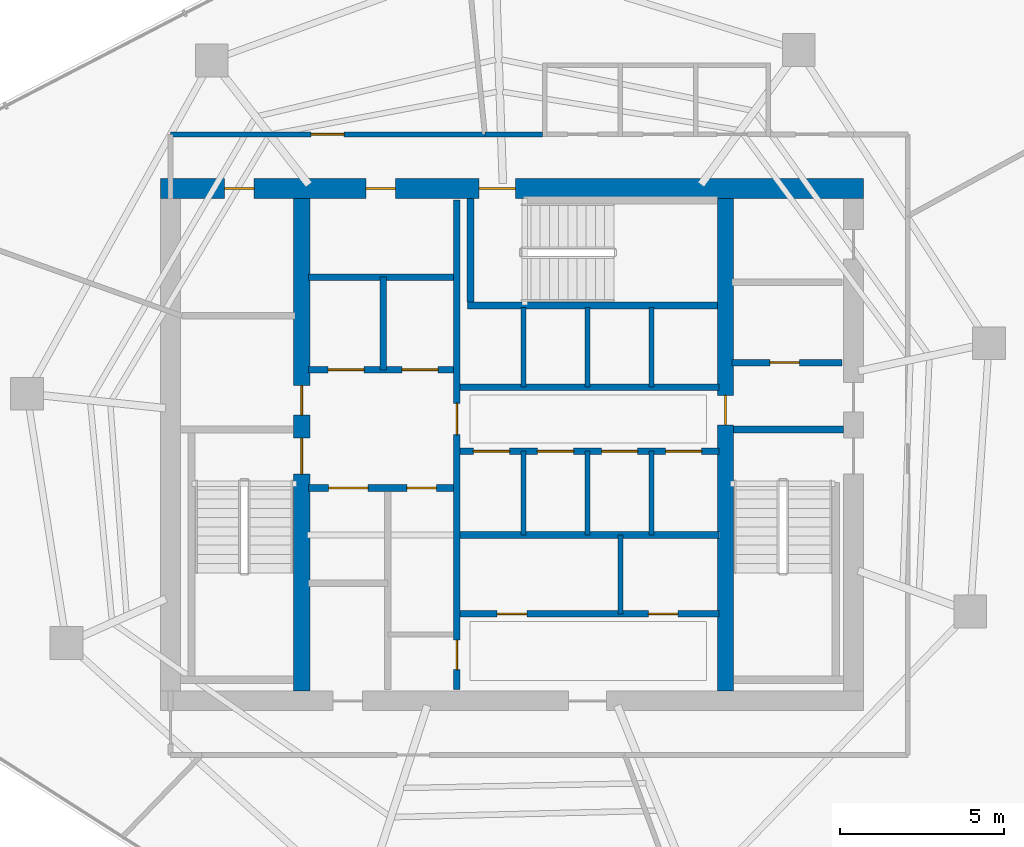
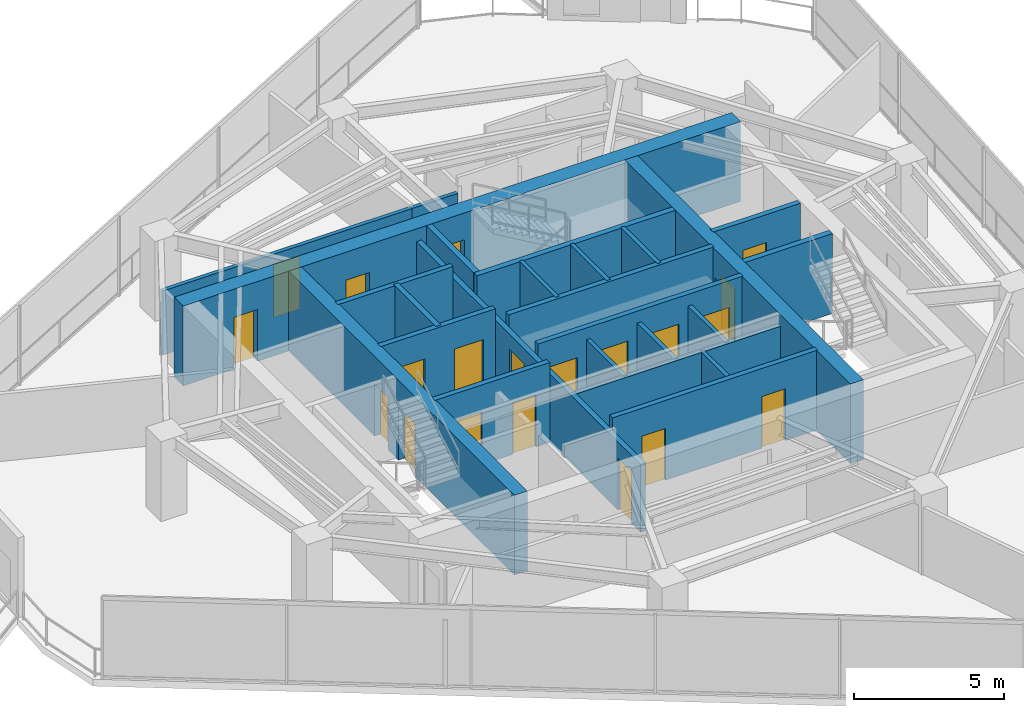
# One storey, part 16 of 20: 25 walls, 20 doors, 20 openings.
"""IFC4 building model written with IfcOpenShell, lengths in metres."""

from ifc_helpers import new_model, si_unit, direction, frame, frame_2d, origin, place, context, subcontext, project, spatial, rectangle, extrude, material, layer, layer_set, type_object, element, fill, save


model = new_model("IFC4")

# Units and contexts
model_context = context("Model", 3, precision=1e-05, world=origin(), true_north=direction((0.0, 1.0)))
body_context = subcontext(model_context, "Body", "Model", "MODEL_VIEW")
ifc_project = project(units=[si_unit("LENGTHUNIT", "METRE"), si_unit("AREAUNIT", "SQUARE_METRE"), si_unit("VOLUMEUNIT", "CUBIC_METRE"), si_unit("PLANEANGLEUNIT", "RADIAN"), si_unit("MASSUNIT", "GRAM", prefix="KILO")], contexts=[model_context])

# Site, building, storey
site_placement = place(None, origin())
site = spatial("IfcSite", under=ifc_project, at=site_placement, CompositionType="ELEMENT")
building_placement = place(site_placement, origin())
building = spatial("IfcBuilding", under=site, at=building_placement, Name="Qarnah Convention Tower", CompositionType="ELEMENT")
storey_placement = place(building_placement, frame((0.0, 0.0, 168.89990234375)))
storey = spatial("IfcBuildingStorey", under=building, at=storey_placement, Name="L45", CompositionType="ELEMENT", Elevation=168.89990234375)

# Wall, openings, doors
ifc_material_1 = material(Name="Concrete C60/75", Category="concrete")
ifc_layer_1 = layer(ifc_material_1, 0.60009765625)
ifc_layer_set_1 = layer_set([ifc_layer_1], Name="Concrete C60/75")
wall_type_1 = type_object("IfcWallType", Name="WL-CORE-600", PredefinedType="SHEAR", material=ifc_layer_set_1)
wall_1_placement = place(storey_placement, frame((26.5, 34.199951171875, 0.0), z_axis=(0.0, 0.0, 1.0), x_axis=(1.0, 0.0, 0.0)))
wall_1 = element("IfcWall", 1, at=wall_1_placement, inside=storey, type_object=wall_type_1, Name="L45 core north shear wall", PredefinedType="SHEAR", context=body_context, shape_type="SweptSolid", body=[
    extrude(rectangle(XDim=21.39990234375, YDim=0.60009765625, at=frame_2d((10.699951171875, 0.0))), origin(), (0.0, 0.0, 1.0), 3.239990234375),
])
opening_1_placement = place(wall_1_placement, frame((9.699951171875, 0.0, 0.0)))
opening_1 = element("IfcOpeningElement", 2, at=opening_1_placement, cuts=wall_1, Name="Opening D-4503", PredefinedType="OPENING", context=body_context, shape_type="SweptSolid", body=[
    extrude(rectangle(XDim=1.10009765625, YDim=2.14990234375, at=frame_2d((0.550048828125, 1.074951171875))), frame((0.0, 0.31005859375, 0.0), z_axis=(0.0, -1.0, 0.0), x_axis=(1.0, 0.0, 0.0)), (0.0, 0.0, 1.0), 0.6201171875),
])
opening_2_placement = place(wall_1_placement, frame((1.949951171875, 0.0, 0.0)))
opening_2 = element("IfcOpeningElement", 3, at=opening_2_placement, cuts=wall_1, Name="Opening D-4509", PredefinedType="OPENING", context=body_context, shape_type="SweptSolid", body=[
    extrude(rectangle(XDim=0.89990234375, YDim=2.10009765625, at=frame_2d((0.449951171875, 1.050048828125))), frame((0.0, 0.31005859375, 0.0), z_axis=(0.0, -1.0, 0.0), x_axis=(1.0, 0.0, 0.0)), (0.0, 0.0, 1.0), 0.6201171875),
])
opening_3_placement = place(wall_1_placement, frame((6.25, 0.0, 0.0)))
opening_3 = element("IfcOpeningElement", 4, at=opening_3_placement, cuts=wall_1, Name="Opening D-4510", PredefinedType="OPENING", context=body_context, shape_type="SweptSolid", body=[
    extrude(rectangle(XDim=0.89990234375, YDim=2.10009765625, at=frame_2d((0.449951171875, 1.050048828125))), frame((0.0, 0.31005859375, 0.0), z_axis=(0.0, -1.0, 0.0), x_axis=(1.0, 0.0, 0.0)), (0.0, 0.0, 1.0), 0.6201171875),
])
ifc_material_2 = material(Name="Structural steel S355JR", Category="steel")
door_type_1 = type_object("IfcDoorType", Name="DT-RISER-900", OperationType="NOTDEFINED", PredefinedType="DOOR", material=ifc_material_2)
door_1_placement = place(opening_2_placement, origin())
door_1 = element("IfcDoor", 5, at=door_1_placement, inside=storey, type_object=door_type_1, Name="Door D-4509", OperationType="SINGLE_SWING_RIGHT", OverallHeight=2.10009765625, OverallWidth=0.89990234375, PredefinedType="DOOR", context=body_context, shape_type="SweptSolid", body=[
    extrude(rectangle(XDim=0.89990234375, YDim=2.10009765625, at=frame_2d((0.449951171875, 1.050048828125))), frame((0.0, 0.02490234375, 0.0), z_axis=(0.0, -1.0, 0.0), x_axis=(1.0, 0.0, 0.0)), (0.0, 0.0, 1.0), 0.050048828125),
])
fill(opening_2, door_1)
door_2_placement = place(opening_3_placement, origin())
door_2 = element("IfcDoor", 6, at=door_2_placement, inside=storey, type_object=door_type_1, Name="Door D-4510", OperationType="SINGLE_SWING_LEFT", OverallHeight=2.10009765625, OverallWidth=0.89990234375, PredefinedType="DOOR", context=body_context, shape_type="SweptSolid", body=[
    extrude(rectangle(XDim=0.89990234375, YDim=2.10009765625, at=frame_2d((0.449951171875, 1.050048828125))), frame((0.0, 0.02490234375, 0.0), z_axis=(0.0, -1.0, 0.0), x_axis=(1.0, 0.0, 0.0)), (0.0, 0.0, 1.0), 0.050048828125),
])
fill(opening_3, door_2)
door_type_2 = type_object("IfcDoorType", Name="DT-STAIR-1100", OperationType="NOTDEFINED", PredefinedType="DOOR", material=ifc_material_2)
door_3_placement = place(opening_1_placement, origin())
door_3 = element("IfcDoor", 7, at=door_3_placement, inside=storey, type_object=door_type_2, Name="Door D-4503", OperationType="SINGLE_SWING_RIGHT", OverallHeight=2.14990234375, OverallWidth=1.10009765625, PredefinedType="DOOR", context=body_context, shape_type="SweptSolid", body=[
    extrude(rectangle(XDim=1.10009765625, YDim=2.14990234375, at=frame_2d((0.550048828125, 1.074951171875))), frame((0.0, 0.02490234375, 0.0), z_axis=(0.0, -1.0, 0.0), x_axis=(1.0, 0.0, 0.0)), (0.0, 0.0, 1.0), 0.050048828125),
])
fill(opening_1, door_3)

ifc_layer_2 = layer(ifc_material_1, 0.5)
ifc_layer_set_2 = layer_set([ifc_layer_2], Name="Concrete C60/75")
wall_type_2 = type_object("IfcWallType", Name="WL-CORE-INT-400", PredefinedType="SHEAR", material=ifc_layer_set_2)
wall_2_placement = place(storey_placement, frame((30.800048828125, 18.89990234375, 0.0), z_axis=(0.0, 0.0, 1.0), x_axis=(0.0, 1.0, 0.0)))
wall_2 = element("IfcWall", 8, at=wall_2_placement, inside=storey, type_object=wall_type_2, Name="L45 core west spine shear wall", PredefinedType="SHEAR", context=body_context, shape_type="SweptSolid", body=[
    extrude(rectangle(XDim=15.0, YDim=0.5, at=frame_2d((7.5, 0.0))), origin(), (0.0, 0.0, 1.0), 3.239990234375),
])
opening_4_placement = place(wall_2_placement, frame((6.60009765625, 0.0, 0.0)))
opening_4 = element("IfcOpeningElement", 9, at=opening_4_placement, cuts=wall_2, Name="Opening D-4501", PredefinedType="OPENING", context=body_context, shape_type="SweptSolid", body=[
    extrude(rectangle(XDim=1.10009765625, YDim=2.14990234375, at=frame_2d((0.550048828125, 1.074951171875))), frame((0.0, 0.260009765625, 0.0), z_axis=(0.0, -1.0, 0.0), x_axis=(1.0, 0.0, 0.0)), (0.0, 0.0, 1.0), 0.52001953125),
])
opening_5_placement = place(wall_2_placement, frame((8.39990234375, 0.0, 0.0)))
opening_5 = element("IfcOpeningElement", 10, at=opening_5_placement, cuts=wall_2, Name="Opening D-4508", PredefinedType="OPENING", context=body_context, shape_type="SweptSolid", body=[
    extrude(rectangle(XDim=0.89990234375, YDim=2.10009765625, at=frame_2d((0.449951171875, 1.050048828125))), frame((0.0, 0.260009765625, 0.0), z_axis=(0.0, -1.0, 0.0), x_axis=(1.0, 0.0, 0.0)), (0.0, 0.0, 1.0), 0.52001953125),
])
door_4_placement = place(opening_5_placement, origin())
door_4 = element("IfcDoor", 11, at=door_4_placement, inside=storey, type_object=door_type_1, Name="Door D-4508", OperationType="SINGLE_SWING_LEFT", OverallHeight=2.10009765625, OverallWidth=0.89990234375, PredefinedType="DOOR", context=body_context, shape_type="SweptSolid", body=[
    extrude(rectangle(XDim=0.89990234375, YDim=2.10009765625, at=frame_2d((0.449951171875, 1.050048828125))), frame((0.0, 0.02490234375, 0.0), z_axis=(0.0, -1.0, 0.0), x_axis=(1.0, 0.0, 0.0)), (0.0, 0.0, 1.0), 0.050048828125),
])
fill(opening_5, door_4)
door_5_placement = place(opening_4_placement, origin())
door_5 = element("IfcDoor", 12, at=door_5_placement, inside=storey, type_object=door_type_2, Name="Door D-4501", OperationType="SINGLE_SWING_RIGHT", OverallHeight=2.14990234375, OverallWidth=1.10009765625, PredefinedType="DOOR", context=body_context, shape_type="SweptSolid", body=[
    extrude(rectangle(XDim=1.10009765625, YDim=2.14990234375, at=frame_2d((0.550048828125, 1.074951171875))), frame((0.0, 0.02490234375, 0.0), z_axis=(0.0, -1.0, 0.0), x_axis=(1.0, 0.0, 0.0)), (0.0, 0.0, 1.0), 0.050048828125),
])
fill(opening_4, door_5)

# Wall, opening, door
wall_3_placement = place(storey_placement, frame((43.699951171875, 18.89990234375, 0.0), z_axis=(0.0, 0.0, 1.0), x_axis=(0.0, 1.0, 0.0)))
wall_3 = element("IfcWall", 13, at=wall_3_placement, inside=storey, type_object=wall_type_2, Name="L45 core east spine shear wall", PredefinedType="SHEAR", context=body_context, shape_type="SweptSolid", body=[
    extrude(rectangle(XDim=15.0, YDim=0.5, at=frame_2d((7.5, 0.0))), origin(), (0.0, 0.0, 1.0), 3.239990234375),
])
opening_6_placement = place(wall_3_placement, frame((8.10009765625, 0.0, 0.0)))
opening_6 = element("IfcOpeningElement", 14, at=opening_6_placement, cuts=wall_3, Name="Opening D-4505", PredefinedType="OPENING", context=body_context, shape_type="SweptSolid", body=[
    extrude(rectangle(XDim=0.89990234375, YDim=2.10009765625, at=frame_2d((0.449951171875, 1.050048828125))), frame((0.0, 0.260009765625, 0.0), z_axis=(0.0, -1.0, 0.0), x_axis=(1.0, 0.0, 0.0)), (0.0, 0.0, 1.0), 0.52001953125),
])
door_6_placement = place(opening_6_placement, origin())
door_6 = element("IfcDoor", 15, at=door_6_placement, inside=storey, type_object=door_type_1, Name="Door D-4505", OperationType="SINGLE_SWING_RIGHT", OverallHeight=2.10009765625, OverallWidth=0.89990234375, PredefinedType="DOOR", context=body_context, shape_type="SweptSolid", body=[
    extrude(rectangle(XDim=0.89990234375, YDim=2.10009765625, at=frame_2d((0.449951171875, 1.050048828125))), frame((0.0, 0.02490234375, 0.0), z_axis=(0.0, -1.0, 0.0), x_axis=(1.0, 0.0, 0.0)), (0.0, 0.0, 1.0), 0.050048828125),
])
fill(opening_6, door_6)

ifc_material_3 = material(Name="Concrete C45/55", Category="concrete")
ifc_layer_3 = layer(ifc_material_3, 0.199951171875)
ifc_layer_set_3 = layer_set([ifc_layer_3], Name="Concrete C45/55")
wall_type_3 = type_object("IfcWallType", Name="WL-CORE-PART-200", PredefinedType="SOLIDWALL", material=ifc_layer_set_3)
wall_4_placement = place(storey_placement, frame((43.89990234375, 28.89990234375, 0.0), z_axis=(0.0, 0.0, 1.0), x_axis=(1.0, 0.0, 0.0)))
wall_4 = element("IfcWall", 16, at=wall_4_placement, inside=storey, type_object=wall_type_3, Name="L45 interior wall IW-L45-EVSTN", PredefinedType="SOLIDWALL", context=body_context, shape_type="SweptSolid", body=[
    extrude(rectangle(XDim=3.35009765625, YDim=0.199951171875, at=frame_2d((1.675048828125, 0.0))), origin(), (0.0, 0.0, 1.0), 3.239990234375),
])
opening_7_placement = place(wall_4_placement, frame((1.14990234375, 0.0, 0.0)))
opening_7 = element("IfcOpeningElement", 17, at=opening_7_placement, cuts=wall_4, Name="Opening D-4511", PredefinedType="OPENING", context=body_context, shape_type="SweptSolid", body=[
    extrude(rectangle(XDim=0.89990234375, YDim=2.10009765625, at=frame_2d((0.449951171875, 1.050048828125))), frame((0.0, 0.10986328125, 0.0), z_axis=(0.0, -1.0, 0.0), x_axis=(1.0, 0.0, 0.0)), (0.0, 0.0, 1.0), 0.219970703125),
])
door_7_placement = place(opening_7_placement, origin())
door_7 = element("IfcDoor", 18, at=door_7_placement, inside=storey, type_object=door_type_1, Name="Door D-4511", OperationType="SINGLE_SWING_RIGHT", OverallHeight=2.10009765625, OverallWidth=0.89990234375, PredefinedType="DOOR", context=body_context, shape_type="SweptSolid", body=[
    extrude(rectangle(XDim=0.89990234375, YDim=2.10009765625, at=frame_2d((0.449951171875, 1.050048828125))), frame((0.0, 0.02490234375, 0.0), z_axis=(0.0, -1.0, 0.0), x_axis=(1.0, 0.0, 0.0)), (0.0, 0.0, 1.0), 0.050048828125),
])
fill(opening_7, door_7)

# Wall, openings, doors
wall_5_placement = place(storey_placement, frame((35.52001953125, 18.949951171875, 0.0), z_axis=(0.0, 0.0, 1.0), x_axis=(0.0, 1.0, 0.0)))
wall_5 = element("IfcWall", 19, at=wall_5_placement, inside=storey, type_object=wall_type_3, Name="L45 interior wall IW-L45-CSP", PredefinedType="SOLIDWALL", context=body_context, shape_type="SweptSolid", body=[
    extrude(rectangle(XDim=14.900146484375, YDim=0.199951171875, at=frame_2d((7.4501953125, 0.0))), origin(), (0.0, 0.0, 1.0), 2.760986328125),
])
opening_8_placement = place(wall_5_placement, frame((7.7548828125, 0.0, 0.0)))
opening_8 = element("IfcOpeningElement", 20, at=opening_8_placement, cuts=wall_5, Name="Opening D-4504", PredefinedType="OPENING", context=body_context, shape_type="SweptSolid", body=[
    extrude(rectangle(XDim=0.949951171875, YDim=2.14990234375, at=frame_2d((0.47509765625, 1.074951171875))), frame((0.0, 0.10986328125, 0.0), z_axis=(0.0, -1.0, 0.0), x_axis=(1.0, 0.0, 0.0)), (0.0, 0.0, 1.0), 0.219970703125),
])
opening_9_placement = place(wall_5_placement, frame((0.60009765625, 0.0, 0.0)))
opening_9 = element("IfcOpeningElement", 21, at=opening_9_placement, cuts=wall_5, Name="Opening D-4514", PredefinedType="OPENING", context=body_context, shape_type="SweptSolid", body=[
    extrude(rectangle(XDim=0.89990234375, YDim=2.10009765625, at=frame_2d((0.449951171875, 1.050048828125))), frame((0.0, 0.10986328125, 0.0), z_axis=(0.0, -1.0, 0.0), x_axis=(1.0, 0.0, 0.0)), (0.0, 0.0, 1.0), 0.219970703125),
])
ifc_material_4 = material(Name="Oak timber veneer", Category="wood")
door_type_3 = type_object("IfcDoorType", Name="DT-HOTEL-950", OperationType="NOTDEFINED", PredefinedType="DOOR", material=ifc_material_4)
door_8_placement = place(opening_8_placement, origin())
door_8 = element("IfcDoor", 22, at=door_8_placement, inside=storey, type_object=door_type_3, Name="Door D-4504", OperationType="SINGLE_SWING_LEFT", OverallHeight=2.14990234375, OverallWidth=0.949951171875, PredefinedType="DOOR", context=body_context, shape_type="SweptSolid", body=[
    extrude(rectangle(XDim=0.949951171875, YDim=2.14990234375, at=frame_2d((0.47509765625, 1.074951171875))), frame((0.0, 0.02490234375, 0.0), z_axis=(0.0, -1.0, 0.0), x_axis=(1.0, 0.0, 0.0)), (0.0, 0.0, 1.0), 0.050048828125),
])
fill(opening_8, door_8)
door_9_placement = place(opening_9_placement, origin())
door_9 = element("IfcDoor", 23, at=door_9_placement, inside=storey, type_object=door_type_1, Name="Door D-4514", OperationType="SINGLE_SWING_LEFT", OverallHeight=2.10009765625, OverallWidth=0.89990234375, PredefinedType="DOOR", context=body_context, shape_type="SweptSolid", body=[
    extrude(rectangle(XDim=0.89990234375, YDim=2.10009765625, at=frame_2d((0.449951171875, 1.050048828125))), frame((0.0, 0.02490234375, 0.0), z_axis=(0.0, -1.0, 0.0), x_axis=(1.0, 0.0, 0.0)), (0.0, 0.0, 1.0), 0.050048828125),
])
fill(opening_9, door_9)

wall_6_placement = place(storey_placement, frame((31.0, 28.679931640625, 0.0), z_axis=(0.0, 0.0, 1.0), x_axis=(1.0, 0.0, 0.0)))
wall_6 = element("IfcWall", 24, at=wall_6_placement, inside=storey, type_object=wall_type_3, Name="L45 interior wall IW-L45-FFLS", PredefinedType="SOLIDWALL", context=body_context, shape_type="SweptSolid", body=[
    extrude(rectangle(XDim=4.419921875, YDim=0.199951171875, at=frame_2d((2.2099609375, 0.0))), origin(), (0.0, 0.0, 1.0), 3.239990234375),
])
opening_10_placement = place(wall_6_placement, frame((0.60009765625, 0.0, 0.0)))
opening_10 = element("IfcOpeningElement", 25, at=opening_10_placement, cuts=wall_6, Name="Opening LD-4501", PredefinedType="OPENING", context=body_context, shape_type="SweptSolid", body=[
    extrude(rectangle(XDim=1.10009765625, YDim=2.14990234375, at=frame_2d((0.550048828125, 1.074951171875))), frame((0.0, 0.10986328125, 0.0), z_axis=(0.0, -1.0, 0.0), x_axis=(1.0, 0.0, 0.0)), (0.0, 0.0, 1.0), 0.219970703125),
])
opening_11_placement = place(wall_6_placement, frame((2.85009765625, 0.0, 0.0)))
opening_11 = element("IfcOpeningElement", 26, at=opening_11_placement, cuts=wall_6, Name="Opening LD-4502", PredefinedType="OPENING", context=body_context, shape_type="SweptSolid", body=[
    extrude(rectangle(XDim=1.10009765625, YDim=2.14990234375, at=frame_2d((0.550048828125, 1.074951171875))), frame((0.0, 0.10986328125, 0.0), z_axis=(0.0, -1.0, 0.0), x_axis=(1.0, 0.0, 0.0)), (0.0, 0.0, 1.0), 0.219970703125),
])
door_type_4 = type_object("IfcDoorType", Name="DT-LIFT-1100", OperationType="SLIDING_TO_LEFT", PredefinedType="DOOR", material=ifc_material_2)
door_10_placement = place(opening_10_placement, origin())
door_10 = element("IfcDoor", 27, at=door_10_placement, inside=storey, type_object=door_type_4, Name="Door LD-4501", OperationType="SLIDING_TO_LEFT", OverallHeight=2.14990234375, OverallWidth=1.10009765625, PredefinedType="DOOR", context=body_context, shape_type="SweptSolid", body=[
    extrude(rectangle(XDim=1.10009765625, YDim=2.14990234375, at=frame_2d((0.550048828125, 1.074951171875))), frame((0.0, 0.02490234375, 0.0), z_axis=(0.0, -1.0, 0.0), x_axis=(1.0, 0.0, 0.0)), (0.0, 0.0, 1.0), 0.050048828125),
])
fill(opening_10, door_10)
door_11_placement = place(opening_11_placement, origin())
door_11 = element("IfcDoor", 28, at=door_11_placement, inside=storey, type_object=door_type_4, Name="Door LD-4502", OperationType="SLIDING_TO_LEFT", OverallHeight=2.14990234375, OverallWidth=1.10009765625, PredefinedType="DOOR", context=body_context, shape_type="SweptSolid", body=[
    extrude(rectangle(XDim=1.10009765625, YDim=2.14990234375, at=frame_2d((0.550048828125, 1.074951171875))), frame((0.0, 0.02490234375, 0.0), z_axis=(0.0, -1.0, 0.0), x_axis=(1.0, 0.0, 0.0)), (0.0, 0.0, 1.0), 0.050048828125),
])
fill(opening_11, door_11)

# Walls
wall_7_placement = place(storey_placement, frame((31.0, 31.5, 0.0), z_axis=(0.0, 0.0, 1.0), x_axis=(1.0, 0.0, 0.0)))
element("IfcWall", 29, at=wall_7_placement, inside=storey, type_object=wall_type_3, Name="L45 interior wall IW-L45-FFLN", PredefinedType="SOLIDWALL", context=body_context, shape_type="SweptSolid", body=[
    extrude(rectangle(XDim=4.419921875, YDim=0.199951171875, at=frame_2d((2.2099609375, 0.0))), origin(), (0.0, 0.0, 1.0), 3.239990234375),
])
wall_8_placement = place(storey_placement, frame((33.280029296875, 28.679931640625, 0.0), z_axis=(0.0, 0.0, 1.0), x_axis=(0.0, 1.0, 0.0)))
element("IfcWall", 30, at=wall_8_placement, inside=storey, type_object=wall_type_3, Name="L45 interior wall IW-L45-FFLM", PredefinedType="SOLIDWALL", context=body_context, shape_type="SweptSolid", body=[
    extrude(rectangle(XDim=2.820068359375, YDim=0.199951171875, at=frame_2d((1.41015625, 0.0))), origin(), (0.0, 0.0, 1.0), 3.239990234375),
])

# Wall, openings, doors
wall_9_placement = place(storey_placement, frame((31.0, 25.080078125, 0.0), z_axis=(0.0, 0.0, 1.0), x_axis=(1.0, 0.0, 0.0)))
wall_9 = element("IfcWall", 31, at=wall_9_placement, inside=storey, type_object=wall_type_3, Name="L45 interior wall IW-L45-FFLBS", PredefinedType="SOLIDWALL", context=body_context, shape_type="SweptSolid", body=[
    extrude(rectangle(XDim=4.419921875, YDim=0.199951171875, at=frame_2d((2.2099609375, 0.0))), origin(), (0.0, 0.0, 1.0), 3.239990234375),
])
opening_12_placement = place(wall_9_placement, frame((3.0, 0.0, 0.0)))
opening_12 = element("IfcOpeningElement", 32, at=opening_12_placement, cuts=wall_9, Name="Opening D-4515", PredefinedType="OPENING", context=body_context, shape_type="SweptSolid", body=[
    extrude(rectangle(XDim=0.89990234375, YDim=2.10009765625, at=frame_2d((0.449951171875, 1.050048828125))), frame((0.0, 0.10986328125, 0.0), z_axis=(0.0, -1.0, 0.0), x_axis=(1.0, 0.0, 0.0)), (0.0, 0.0, 1.0), 0.219970703125),
])
opening_13_placement = place(wall_9_placement, frame((0.6201171875, 0.0, 0.0)))
opening_13 = element("IfcOpeningElement", 33, at=opening_13_placement, cuts=wall_9, Name="Opening LD-4503", PredefinedType="OPENING", context=body_context, shape_type="SweptSolid", body=[
    extrude(rectangle(XDim=1.199951171875, YDim=2.14990234375, at=frame_2d((0.60009765625, 1.074951171875))), frame((0.0, 0.10986328125, 0.0), z_axis=(0.0, -1.0, 0.0), x_axis=(1.0, 0.0, 0.0)), (0.0, 0.0, 1.0), 0.219970703125),
])
door_type_5 = type_object("IfcDoorType", Name="DT-LIFT-1200", OperationType="SLIDING_TO_LEFT", PredefinedType="DOOR", material=ifc_material_2)
door_12_placement = place(opening_13_placement, origin())
door_12 = element("IfcDoor", 34, at=door_12_placement, inside=storey, type_object=door_type_5, Name="Door LD-4503", OperationType="SLIDING_TO_LEFT", OverallHeight=2.14990234375, OverallWidth=1.199951171875, PredefinedType="DOOR", context=body_context, shape_type="SweptSolid", body=[
    extrude(rectangle(XDim=1.199951171875, YDim=2.14990234375, at=frame_2d((0.60009765625, 1.074951171875))), frame((0.0, 0.02490234375, 0.0), z_axis=(0.0, -1.0, 0.0), x_axis=(1.0, 0.0, 0.0)), (0.0, 0.0, 1.0), 0.050048828125),
])
fill(opening_13, door_12)
door_13_placement = place(opening_12_placement, origin())
door_13 = element("IfcDoor", 35, at=door_13_placement, inside=storey, type_object=door_type_1, Name="Door D-4515", OperationType="SINGLE_SWING_RIGHT", OverallHeight=2.10009765625, OverallWidth=0.89990234375, PredefinedType="DOOR", context=body_context, shape_type="SweptSolid", body=[
    extrude(rectangle(XDim=0.89990234375, YDim=2.10009765625, at=frame_2d((0.449951171875, 1.050048828125))), frame((0.0, 0.02490234375, 0.0), z_axis=(0.0, -1.0, 0.0), x_axis=(1.0, 0.0, 0.0)), (0.0, 0.0, 1.0), 0.050048828125),
])
fill(opening_12, door_13)

# Wall
wall_10_placement = place(storey_placement, frame((35.6201171875, 28.14990234375, 0.0), z_axis=(0.0, 0.0, 1.0), x_axis=(1.0, 0.0, 0.0)))
element("IfcWall", 36, at=wall_10_placement, inside=storey, type_object=wall_type_3, Name="L45 interior wall IW-L45-PHS", PredefinedType="SOLIDWALL", context=body_context, shape_type="SweptSolid", body=[
    extrude(rectangle(XDim=7.8798828125, YDim=0.199951171875, at=frame_2d((3.93994140625, 0.0))), origin(), (0.0, 0.0, 1.0), 3.239990234375),
])

# Wall, openings, doors
wall_11_placement = place(storey_placement, frame((35.6201171875, 26.199951171875, 0.0), z_axis=(0.0, 0.0, 1.0), x_axis=(1.0, 0.0, 0.0)))
wall_11 = element("IfcWall", 37, at=wall_11_placement, inside=storey, type_object=wall_type_3, Name="L45 interior wall IW-L45-PMN", PredefinedType="SOLIDWALL", context=body_context, shape_type="SweptSolid", body=[
    extrude(rectangle(XDim=7.8798828125, YDim=0.199951171875, at=frame_2d((3.93994140625, 0.0))), origin(), (0.0, 0.0, 1.0), 3.239990234375),
])
opening_14_placement = place(wall_11_placement, frame((0.405029296875, 0.0, 0.0)))
opening_14 = element("IfcOpeningElement", 38, at=opening_14_placement, cuts=wall_11, Name="Opening LD-4504", PredefinedType="OPENING", context=body_context, shape_type="SweptSolid", body=[
    extrude(rectangle(XDim=1.10009765625, YDim=2.14990234375, at=frame_2d((0.550048828125, 1.074951171875))), frame((0.0, 0.10986328125, 0.0), z_axis=(0.0, -1.0, 0.0), x_axis=(1.0, 0.0, 0.0)), (0.0, 0.0, 1.0), 0.219970703125),
])
opening_15_placement = place(wall_11_placement, frame((2.35498046875, 0.0, 0.0)))
opening_15 = element("IfcOpeningElement", 39, at=opening_15_placement, cuts=wall_11, Name="Opening LD-4505", PredefinedType="OPENING", context=body_context, shape_type="SweptSolid", body=[
    extrude(rectangle(XDim=1.10009765625, YDim=2.14990234375, at=frame_2d((0.550048828125, 1.074951171875))), frame((0.0, 0.10986328125, 0.0), z_axis=(0.0, -1.0, 0.0), x_axis=(1.0, 0.0, 0.0)), (0.0, 0.0, 1.0), 0.219970703125),
])
opening_16_placement = place(wall_11_placement, frame((4.304931640625, 0.0, 0.0)))
opening_16 = element("IfcOpeningElement", 40, at=opening_16_placement, cuts=wall_11, Name="Opening LD-4506", PredefinedType="OPENING", context=body_context, shape_type="SweptSolid", body=[
    extrude(rectangle(XDim=1.10009765625, YDim=2.14990234375, at=frame_2d((0.550048828125, 1.074951171875))), frame((0.0, 0.10986328125, 0.0), z_axis=(0.0, -1.0, 0.0), x_axis=(1.0, 0.0, 0.0)), (0.0, 0.0, 1.0), 0.219970703125),
])
opening_17_placement = place(wall_11_placement, frame((6.2548828125, 0.0, 0.0)))
opening_17 = element("IfcOpeningElement", 41, at=opening_17_placement, cuts=wall_11, Name="Opening LD-4507", PredefinedType="OPENING", context=body_context, shape_type="SweptSolid", body=[
    extrude(rectangle(XDim=1.10009765625, YDim=2.14990234375, at=frame_2d((0.550048828125, 1.074951171875))), frame((0.0, 0.10986328125, 0.0), z_axis=(0.0, -1.0, 0.0), x_axis=(1.0, 0.0, 0.0)), (0.0, 0.0, 1.0), 0.219970703125),
])
door_14_placement = place(opening_14_placement, origin())
door_14 = element("IfcDoor", 42, at=door_14_placement, inside=storey, type_object=door_type_4, Name="Door LD-4504", OperationType="SLIDING_TO_LEFT", OverallHeight=2.14990234375, OverallWidth=1.10009765625, PredefinedType="DOOR", context=body_context, shape_type="SweptSolid", body=[
    extrude(rectangle(XDim=1.10009765625, YDim=2.14990234375, at=frame_2d((0.550048828125, 1.074951171875))), frame((0.0, 0.02490234375, 0.0), z_axis=(0.0, -1.0, 0.0), x_axis=(1.0, 0.0, 0.0)), (0.0, 0.0, 1.0), 0.050048828125),
])
fill(opening_14, door_14)
door_15_placement = place(opening_15_placement, origin())
door_15 = element("IfcDoor", 43, at=door_15_placement, inside=storey, type_object=door_type_4, Name="Door LD-4505", OperationType="SLIDING_TO_LEFT", OverallHeight=2.14990234375, OverallWidth=1.10009765625, PredefinedType="DOOR", context=body_context, shape_type="SweptSolid", body=[
    extrude(rectangle(XDim=1.10009765625, YDim=2.14990234375, at=frame_2d((0.550048828125, 1.074951171875))), frame((0.0, 0.02490234375, 0.0), z_axis=(0.0, -1.0, 0.0), x_axis=(1.0, 0.0, 0.0)), (0.0, 0.0, 1.0), 0.050048828125),
])
fill(opening_15, door_15)
door_16_placement = place(opening_16_placement, origin())
door_16 = element("IfcDoor", 44, at=door_16_placement, inside=storey, type_object=door_type_4, Name="Door LD-4506", OperationType="SLIDING_TO_LEFT", OverallHeight=2.14990234375, OverallWidth=1.10009765625, PredefinedType="DOOR", context=body_context, shape_type="SweptSolid", body=[
    extrude(rectangle(XDim=1.10009765625, YDim=2.14990234375, at=frame_2d((0.550048828125, 1.074951171875))), frame((0.0, 0.02490234375, 0.0), z_axis=(0.0, -1.0, 0.0), x_axis=(1.0, 0.0, 0.0)), (0.0, 0.0, 1.0), 0.050048828125),
])
fill(opening_16, door_16)
door_17_placement = place(opening_17_placement, origin())
door_17 = element("IfcDoor", 45, at=door_17_placement, inside=storey, type_object=door_type_4, Name="Door LD-4507", OperationType="SLIDING_TO_LEFT", OverallHeight=2.14990234375, OverallWidth=1.10009765625, PredefinedType="DOOR", context=body_context, shape_type="SweptSolid", body=[
    extrude(rectangle(XDim=1.10009765625, YDim=2.14990234375, at=frame_2d((0.550048828125, 1.074951171875))), frame((0.0, 0.02490234375, 0.0), z_axis=(0.0, -1.0, 0.0), x_axis=(1.0, 0.0, 0.0)), (0.0, 0.0, 1.0), 0.050048828125),
])
fill(opening_17, door_17)

# Wall
wall_12_placement = place(storey_placement, frame((35.6201171875, 23.64990234375, 0.0), z_axis=(0.0, 0.0, 1.0), x_axis=(1.0, 0.0, 0.0)))
element("IfcWall", 46, at=wall_12_placement, inside=storey, type_object=wall_type_3, Name="L45 interior wall IW-L45-PMPL", PredefinedType="SOLIDWALL", context=body_context, shape_type="SweptSolid", body=[
    extrude(rectangle(XDim=7.8798828125, YDim=0.199951171875, at=frame_2d((3.93994140625, 0.0))), origin(), (0.0, 0.0, 1.0), 2.760986328125),
])

# Wall, openings, doors
wall_13_placement = place(storey_placement, frame((35.6201171875, 21.25, 0.0), z_axis=(0.0, 0.0, 1.0), x_axis=(1.0, 0.0, 0.0)))
wall_13 = element("IfcWall", 47, at=wall_13_placement, inside=storey, type_object=wall_type_3, Name="L45 interior wall IW-L45-PLS", PredefinedType="SOLIDWALL", context=body_context, shape_type="SweptSolid", body=[
    extrude(rectangle(XDim=7.8798828125, YDim=0.199951171875, at=frame_2d((3.93994140625, 0.0))), origin(), (0.0, 0.0, 1.0), 3.239990234375),
])
opening_18_placement = place(wall_13_placement, frame((1.1298828125, 0.0, 0.0)))
opening_18 = element("IfcOpeningElement", 48, at=opening_18_placement, cuts=wall_13, Name="Opening D-4516", PredefinedType="OPENING", context=body_context, shape_type="SweptSolid", body=[
    extrude(rectangle(XDim=0.89990234375, YDim=2.10009765625, at=frame_2d((0.449951171875, 1.050048828125))), frame((0.0, 0.10986328125, 0.0), z_axis=(0.0, -1.0, 0.0), x_axis=(1.0, 0.0, 0.0)), (0.0, 0.0, 1.0), 0.219970703125),
])
opening_19_placement = place(wall_13_placement, frame((5.72998046875, 0.0, 0.0)))
opening_19 = element("IfcOpeningElement", 49, at=opening_19_placement, cuts=wall_13, Name="Opening D-4517", PredefinedType="OPENING", context=body_context, shape_type="SweptSolid", body=[
    extrude(rectangle(XDim=0.89990234375, YDim=2.10009765625, at=frame_2d((0.449951171875, 1.050048828125))), frame((0.0, 0.10986328125, 0.0), z_axis=(0.0, -1.0, 0.0), x_axis=(1.0, 0.0, 0.0)), (0.0, 0.0, 1.0), 0.219970703125),
])
door_18_placement = place(opening_18_placement, origin())
door_18 = element("IfcDoor", 50, at=door_18_placement, inside=storey, type_object=door_type_1, Name="Door D-4516", OperationType="SINGLE_SWING_LEFT", OverallHeight=2.10009765625, OverallWidth=0.89990234375, PredefinedType="DOOR", context=body_context, shape_type="SweptSolid", body=[
    extrude(rectangle(XDim=0.89990234375, YDim=2.10009765625, at=frame_2d((0.449951171875, 1.050048828125))), frame((0.0, 0.02490234375, 0.0), z_axis=(0.0, -1.0, 0.0), x_axis=(1.0, 0.0, 0.0)), (0.0, 0.0, 1.0), 0.050048828125),
])
fill(opening_18, door_18)
door_19_placement = place(opening_19_placement, origin())
door_19 = element("IfcDoor", 51, at=door_19_placement, inside=storey, type_object=door_type_1, Name="Door D-4517", OperationType="SINGLE_SWING_RIGHT", OverallHeight=2.10009765625, OverallWidth=0.89990234375, PredefinedType="DOOR", context=body_context, shape_type="SweptSolid", body=[
    extrude(rectangle(XDim=0.89990234375, YDim=2.10009765625, at=frame_2d((0.449951171875, 1.050048828125))), frame((0.0, 0.02490234375, 0.0), z_axis=(0.0, -1.0, 0.0), x_axis=(1.0, 0.0, 0.0)), (0.0, 0.0, 1.0), 0.050048828125),
])
fill(opening_19, door_19)

# Walls
ifc_layer_4 = layer(ifc_material_1, 0.219970703125)
ifc_layer_set_4 = layer_set([ifc_layer_4], Name="Concrete C60/75")
wall_type_4 = type_object("IfcWallType", Name="WL-CORE-STAIR-220", PredefinedType="SHEAR", material=ifc_layer_set_4)
wall_14_placement = place(storey_placement, frame((43.949951171875, 26.860107421875, 0.0), z_axis=(0.0, 0.0, 1.0), x_axis=(1.0, 0.0, 0.0)))
element("IfcWall", 52, at=wall_14_placement, inside=storey, type_object=wall_type_4, Name="L45 stair shaft shear wall SW-L45-ST2N", PredefinedType="SHEAR", context=body_context, shape_type="SweptSolid", body=[
    extrude(rectangle(XDim=3.35009765625, YDim=0.219970703125, at=frame_2d((1.675048828125, 0.0))), origin(), (0.0, 0.0, 1.0), 3.239990234375),
])
wall_15_placement = place(storey_placement, frame((35.840087890625, 30.639892578125, 0.0), z_axis=(0.0, 0.0, 1.0), x_axis=(1.0, 0.0, 0.0)))
element("IfcWall", 53, at=wall_15_placement, inside=storey, type_object=wall_type_4, Name="L45 stair shaft shear wall SW-L45-ST3S", PredefinedType="SHEAR", context=body_context, shape_type="SweptSolid", body=[
    extrude(rectangle(XDim=7.60986328125, YDim=0.219970703125, at=frame_2d((3.804931640625, 0.0))), origin(), (0.0, 0.0, 1.0), 3.239990234375),
])
wall_16_placement = place(storey_placement, frame((35.93994140625, 30.75, 0.0), z_axis=(0.0, 0.0, 1.0), x_axis=(0.0, 1.0, 0.0)))
element("IfcWall", 54, at=wall_16_placement, inside=storey, type_object=wall_type_4, Name="L45 stair shaft shear wall SW-L45-ST3W", PredefinedType="SHEAR", context=body_context, shape_type="SweptSolid", body=[
    extrude(rectangle(XDim=3.14990234375, YDim=0.219970703125, at=frame_2d((1.574951171875, 0.0))), origin(), (0.0, 0.0, 1.0), 3.239990234375),
])
ifc_material_5 = material(Name="Gypsum partition board")
ifc_layer_5 = layer(ifc_material_5, 0.14990234375)
ifc_layer_set_5 = layer_set([ifc_layer_5], Name="Gypsum partition board")
wall_type_5 = type_object("IfcWallType", Name="WL-SUITE-150", PredefinedType="PARTITIONING", material=ifc_layer_set_5)
for number, where, z_axis, x_axis, name in (
    (55, (37.550048828125, 28.14990234375, 0.0), (0.0, 0.0, 1.0), (0.0, 1.0, 0.0), "L45 interior wall IW-L45-PHD1"),
    (56, (39.5, 28.14990234375, 0.0), (0.0, 0.0, 1.0), (0.0, 1.0, 0.0), "L45 interior wall IW-L45-PHD2"),
    (57, (41.449951171875, 28.14990234375, 0.0), (0.0, 0.0, 1.0), (0.0, 1.0, 0.0), "L45 interior wall IW-L45-PHD3"),
):
    element("IfcWall", number, at=place(storey_placement, frame(where, z_axis=z_axis, x_axis=x_axis)), inside=storey, type_object=wall_type_5, Name=name, PredefinedType="PARTITIONING", context=body_context, shape_type="SweptSolid", body=[
        extrude(rectangle(XDim=2.43017578125, YDim=0.14990234375, at=frame_2d((1.215087890625, 0.0))), origin(), (0.0, 0.0, 1.0), 3.239990234375),
    ])
for number, where, z_axis, x_axis, name in (
    (58, (37.550048828125, 23.64990234375, 0.0), (0.0, 0.0, 1.0), (0.0, 1.0, 0.0), "L45 interior wall IW-L45-PMD1"),
    (59, (39.5, 23.64990234375, 0.0), (0.0, 0.0, 1.0), (0.0, 1.0, 0.0), "L45 interior wall IW-L45-PMD2"),
    (60, (41.449951171875, 23.64990234375, 0.0), (0.0, 0.0, 1.0), (0.0, 1.0, 0.0), "L45 interior wall IW-L45-PMD3"),
):
    element("IfcWall", number, at=place(storey_placement, frame(where, z_axis=z_axis, x_axis=x_axis)), inside=storey, type_object=wall_type_5, Name=name, PredefinedType="PARTITIONING", context=body_context, shape_type="SweptSolid", body=[
        extrude(rectangle(XDim=2.550048828125, YDim=0.14990234375, at=frame_2d((1.27490234375, 0.0))), origin(), (0.0, 0.0, 1.0), 2.760986328125),
    ])
wall_17_placement = place(storey_placement, frame((40.5, 21.25, 0.0), z_axis=(0.0, 0.0, 1.0), x_axis=(0.0, 1.0, 0.0)))
element("IfcWall", 61, at=wall_17_placement, inside=storey, type_object=wall_type_5, Name="L45 interior wall IW-L45-PLFD", PredefinedType="PARTITIONING", context=body_context, shape_type="SweptSolid", body=[
    extrude(rectangle(XDim=2.39990234375, YDim=0.14990234375, at=frame_2d((1.199951171875, 0.0))), origin(), (0.0, 0.0, 1.0), 2.760986328125),
])
wall_18_placement = place(storey_placement, frame((36.373046875, 35.85009765625, 0.0), z_axis=(0.0, 0.0, 1.0), x_axis=(1.0, 0.0, 0.0)))
element("IfcWall", 62, at=wall_18_placement, inside=storey, type_object=wall_type_5, Name="L45 interior wall IW-L45-R-12", PredefinedType="PARTITIONING", context=body_context, shape_type="SweptSolid", body=[
    extrude(rectangle(XDim=1.7568359375, YDim=0.14990234375, at=frame_2d((0.87841796875, 0.0))), origin(), (0.0, 0.0, 1.0), 2.607177734375),
])

# Wall, opening, door
wall_19_placement = place(storey_placement, frame((26.800048828125, 35.85009765625, 0.0), z_axis=(0.0, 0.0, 1.0), x_axis=(1.0, 0.0, 0.0)))
wall_19 = element("IfcWall", 63, at=wall_19_placement, inside=storey, type_object=wall_type_5, Name="L45 interior wall IW-L45-R-20", PredefinedType="PARTITIONING", context=body_context, shape_type="SweptSolid", body=[
    extrude(rectangle(XDim=9.572998046875, YDim=0.14990234375, at=frame_2d((4.78662109375, 0.0))), origin(), (0.0, 0.0, 1.0), 2.607177734375),
])
opening_20_placement = place(wall_19_placement, frame((4.285888671875, 0.0, 0.0)))
opening_20 = element("IfcOpeningElement", 64, at=opening_20_placement, cuts=wall_19, Name="Opening D-4522", PredefinedType="OPENING", context=body_context, shape_type="SweptSolid", body=[
    extrude(rectangle(XDim=1.0, YDim=2.14990234375, at=frame_2d((0.5, 1.074951171875))), frame((0.0, 0.0849609375, 0.0), z_axis=(0.0, -1.0, 0.0), x_axis=(1.0, 0.0, 0.0)), (0.0, 0.0, 1.0), 0.169921875),
])
door_type_6 = type_object("IfcDoorType", Name="DT-OFFICE-1000", OperationType="NOTDEFINED", PredefinedType="DOOR", material=ifc_material_4)
door_20_placement = place(opening_20_placement, origin())
door_20 = element("IfcDoor", 65, at=door_20_placement, inside=storey, type_object=door_type_6, Name="Door D-4522", OperationType="SINGLE_SWING_LEFT", OverallHeight=2.14990234375, OverallWidth=1.0, PredefinedType="DOOR", context=body_context, shape_type="SweptSolid", body=[
    extrude(rectangle(XDim=1.0, YDim=2.14990234375, at=frame_2d((0.5, 1.074951171875))), frame((0.0, 0.02490234375, 0.0), z_axis=(0.0, -1.0, 0.0), x_axis=(1.0, 0.0, 0.0)), (0.0, 0.0, 1.0), 0.050048828125),
])
fill(opening_20, door_20)

save(model, "model.ifc")
